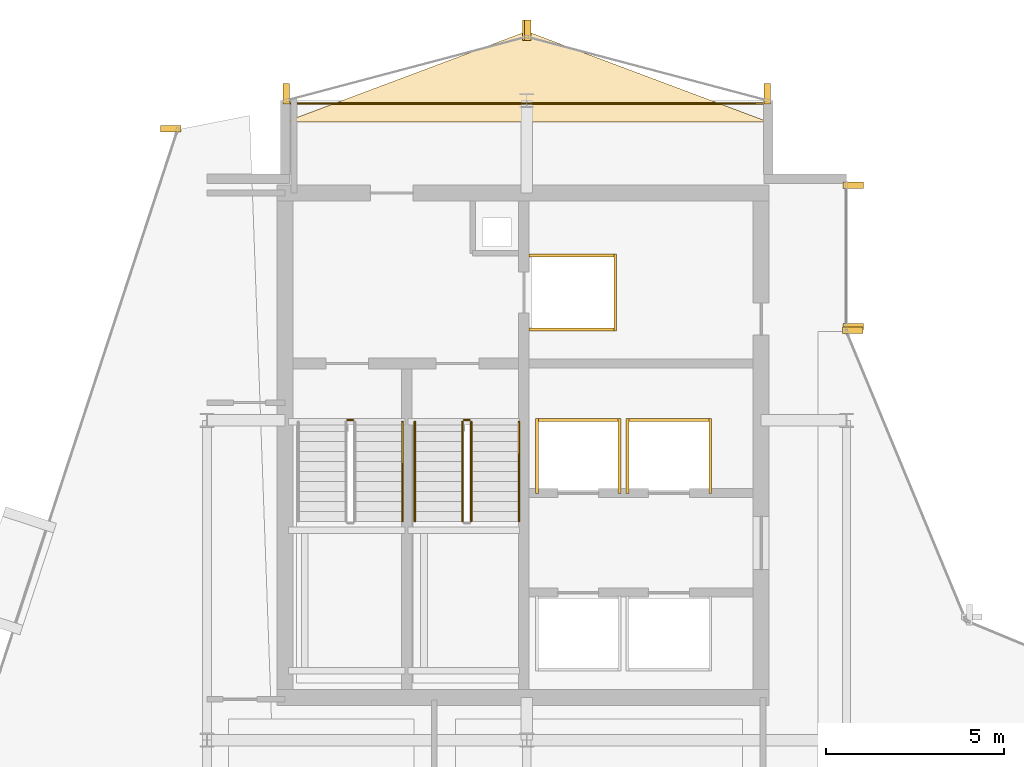
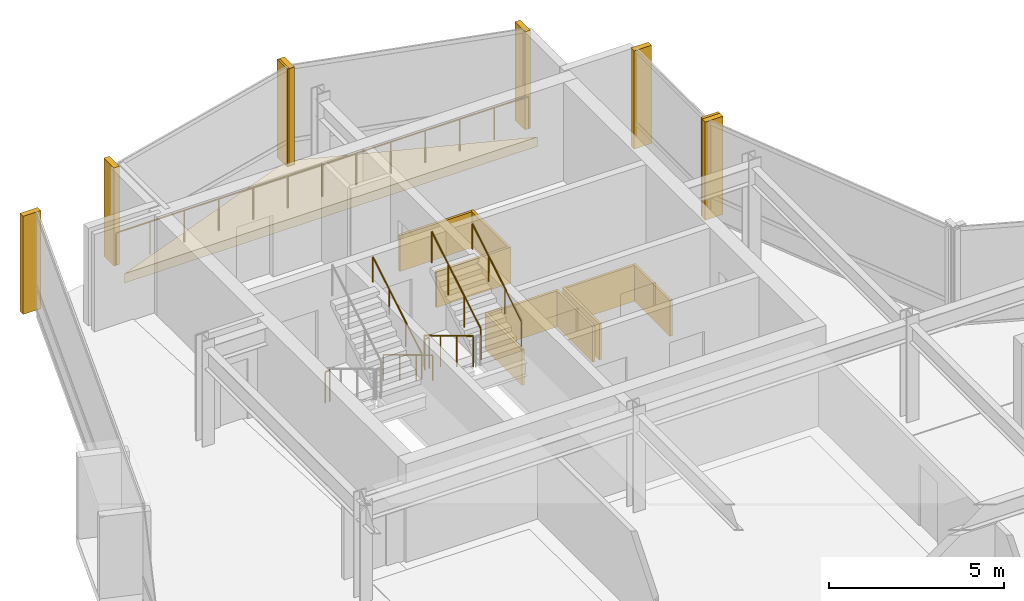
# One storey, part 27 of 27: 18 coverings, 8 railings.
"""IFC4 building model written with IfcOpenShell, lengths in metres."""

import ifcopenshell
import ifcopenshell.guid

model = None  # the IFC model being written
_history = None  # IfcOwnerHistory: only IFC2X3 demands one
_inside = {}  # id of a spatial element -> (the spatial element, [elements in it])
_under = {}  # id of a project, library or spatial element -> (it, [spatial elements below it])
_declared = {}  # id of a project -> (the project, [libraries it declares])
_typed = {}  # id of a type object -> (the type object, [elements of that type])
_made_of = {}  # id of a material, layer set ... -> (it, [elements and type objects made of it])


def new_model(schema):
    """Start an empty IFC model of exactly this schema.

    Asked for "IFC4X3", IfcOpenShell would pick the latest addendum, in which some entities
    have other attributes; the version numbers below select the first issue.
    IFC2X3 requires an IfcOwnerHistory on every rooted entity: one is made here for all.
    """
    global model, _history
    if schema == "IFC4X3":
        model = ifcopenshell.file(schema_version=(4, 3, 0, 0))
    else:
        model = ifcopenshell.file(schema=schema)
    _inside.clear()
    _under.clear()
    _declared.clear()
    _typed.clear()
    _made_of.clear()
    _history = None
    if model.schema == "IFC2X3":
        org = make("IfcOrganization", Name="unknown")
        user = make(
            "IfcPersonAndOrganization",
            ThePerson=make("IfcPerson", FamilyName="unknown"),
            TheOrganization=org,
        )
        app = make(
            "IfcApplication",
            ApplicationDeveloper=org,
            Version="unknown",
            ApplicationFullName="unknown",
            ApplicationIdentifier="unknown",
        )
        _history = make(
            "IfcOwnerHistory",
            OwningUser=user,
            OwningApplication=app,
            ChangeAction="ADDED",
            CreationDate=0,
        )
    return model


def make(cls, **values):
    """One entity of the class cls with the attributes given. An attribute that is None is left unset."""
    return model.create_entity(
        cls, **{name: value for name, value in values.items() if value is not None}
    )


def rooted(cls, **values):
    """An entity with a GlobalId (a new one), such as an element, a storey or a relation."""
    return make(cls, GlobalId=ifcopenshell.guid.new(), OwnerHistory=_history, **values)


def si_unit(unit_type, name, prefix=None):
    """IfcSIUnit, for example si_unit("LENGTHUNIT", "METRE", prefix="MILLI")."""
    return make("IfcSIUnit", UnitType=unit_type, Prefix=prefix, Name=name)


def assignment(units):
    """IfcUnitAssignment: the units of a project."""
    return None if units is None else make("IfcUnitAssignment", Units=units)


def point(xyz):
    """IfcCartesianPoint."""
    return None if xyz is None else make("IfcCartesianPoint", Coordinates=xyz)


def direction(xyz):
    """IfcDirection."""
    return None if xyz is None else make("IfcDirection", DirectionRatios=xyz)


def frame(location, z_axis=None, x_axis=None):
    """IfcAxis2Placement3D, a coordinate frame: its origin and axes. An axis left out is left unset."""
    return make(
        "IfcAxis2Placement3D",
        Location=point(location),
        Axis=direction(z_axis),
        RefDirection=direction(x_axis),
    )


def frame_2d(location, x_axis=None):
    """IfcAxis2Placement2D, a coordinate frame in the plane: its origin and x axis."""
    return make(
        "IfcAxis2Placement2D", Location=point(location), RefDirection=direction(x_axis)
    )


def origin():
    """The frame at (0, 0, 0) with its axes left unset."""
    return frame((0.0, 0.0, 0.0))


def origin_2d():
    """The frame at (0, 0) in the plane with its x axis left unset."""
    return frame_2d((0.0, 0.0))


def place(relative_to, where):
    """IfcLocalPlacement: puts the frame where relative to a parent placement (None: the world)."""
    return make(
        "IfcLocalPlacement", PlacementRelTo=relative_to, RelativePlacement=where
    )


def context(
    kind, dimensions, precision=None, world=None, true_north=None, identifier=None
):
    """IfcGeometricRepresentationContext, for example the 3D "Model" context."""
    return make(
        "IfcGeometricRepresentationContext",
        ContextIdentifier=identifier,
        ContextType=kind,
        CoordinateSpaceDimension=dimensions,
        Precision=precision,
        WorldCoordinateSystem=world,
        TrueNorth=true_north,
    )


def subcontext(parent, identifier, kind, view, scale=None):
    """IfcGeometricRepresentationSubContext, for example "Body" below "Model"."""
    return make(
        "IfcGeometricRepresentationSubContext",
        ContextIdentifier=identifier,
        ContextType=kind,
        ParentContext=parent,
        TargetScale=scale,
        TargetView=view,
    )


def project(units=None, contexts=None):
    """IfcProject with its units and contexts."""
    return rooted(
        "IfcProject",
        Name="project",
        RepresentationContexts=contexts,
        UnitsInContext=assignment(units),
    )


def spatial(cls, under=None, at=None, **own):
    """A site, building, storey or space (cls), placed at a placement, below another one or the project."""
    s = rooted(cls, ObjectPlacement=at, **own)
    if under is not None:
        _under.setdefault(under.id(), (under, []))[1].append(s)
    return s


def polyline(points):
    """IfcPolyline through the points."""
    return make("IfcPolyline", Points=[point(p) for p in points])


def profile(cls, at=None, kind="AREA", **sizes):
    """A parametric profile (cls). Its sizes go by their IFC names, for example OverallWidth=200.0."""
    return make(cls, ProfileType=kind, Position=at, **sizes)


def rectangle(**sizes):
    """IfcRectangleProfileDef."""
    return profile("IfcRectangleProfileDef", **sizes)


def circle(**sizes):
    """IfcCircleProfileDef."""
    return profile("IfcCircleProfileDef", **sizes)


def outline(outer, holes=None, kind="AREA"):
    """IfcArbitraryClosedProfileDef: a profile drawn as a closed curve; with holes, ...WithVoids."""
    if holes is None:
        return make("IfcArbitraryClosedProfileDef", ProfileType=kind, OuterCurve=outer)
    return make(
        "IfcArbitraryProfileDefWithVoids",
        ProfileType=kind,
        OuterCurve=outer,
        InnerCurves=holes,
    )


def extrude(swept, where, along, depth):
    """IfcExtrudedAreaSolid: the profile swept, set in the frame where, extruded along a direction by depth."""
    return make(
        "IfcExtrudedAreaSolid",
        SweptArea=swept,
        Position=where,
        ExtrudedDirection=direction(along),
        Depth=depth,
    )


def shape(context_of_items, identifier, shape_type, items):
    """IfcShapeRepresentation: the items that make up one representation, for example the "Body"."""
    return make(
        "IfcShapeRepresentation",
        ContextOfItems=context_of_items,
        RepresentationIdentifier=identifier,
        RepresentationType=shape_type,
        Items=items,
    )


def material(Name=None, Category=None):
    """IfcMaterial."""
    return make("IfcMaterial", Name=Name, Category=Category)


def layer(
    of_material, thickness, ventilated=None, Name=None, Category=None, Priority=None
):
    """IfcMaterialLayer: one layer of a wall or slab, of a material (None: an air gap)."""
    return make(
        "IfcMaterialLayer",
        Material=of_material,
        LayerThickness=thickness,
        IsVentilated=ventilated,
        Name=Name,
        Category=Category,
        Priority=Priority,
    )


def layer_set(layers, Name=None):
    """IfcMaterialLayerSet."""
    return make("IfcMaterialLayerSet", MaterialLayers=layers, LayerSetName=Name)


def made_of(thing, what):
    """Note that an element or type object is made of a material, layer set ...; save() writes the relation."""
    if what is not None:
        _made_of.setdefault(what.id(), (what, []))[1].append(thing)
    return thing


def type_object(cls, material=None, **own):
    """A type object (cls), such as IfcWallType, which elements share."""
    return made_of(rooted(cls, **own), material)


def element(
    cls,
    number,
    at=None,
    inside=None,
    cuts=None,
    type_object=None,
    material=None,
    context=None,
    identifier="Body",
    shape_type=None,
    held_by="IfcProductDefinitionShape",
    body=None,
    shapes=None,
    **own,
):
    """One element of the class cls, such as IfcWall. Its Tag is "e" and its number.

    at: its placement. inside: the storey or other place that contains it. cuts: it is an
    opening in that element (IfcRelVoidsElement). A single representation is given by context,
    identifier, shape_type and body (its items); several are given by shapes. held_by: the class
    of the entity that holds the representations. save() writes the other relations.
    """
    e = rooted(cls, Tag="e%d" % number, ObjectPlacement=at, **own)
    if body is not None:
        shapes = [shape(context, identifier, shape_type, body)]
    if shapes is not None:
        e.Representation = make(held_by, Representations=shapes)
    if inside is not None:
        _inside.setdefault(inside.id(), (inside, []))[1].append(e)
    if cuts is not None:
        rooted(
            "IfcRelVoidsElement", RelatingBuildingElement=cuts, RelatedOpeningElement=e
        )
    if type_object is not None:
        _typed.setdefault(type_object.id(), (type_object, []))[1].append(e)
    return made_of(e, material)


def aggregate(whole, parts):
    """IfcRelAggregates: a whole, such as a stair, and the parts it consists of."""
    return rooted("IfcRelAggregates", RelatingObject=whole, RelatedObjects=parts)


def save(model, path):
    """Write the relations noted so far, then the file.

    IfcRelAggregates (storeys below a building ...), IfcRelContainedInSpatialStructure (elements
    in a storey), IfcRelDefinesByType, IfcRelAssociatesMaterial and IfcRelDeclares: one each for
    every whole, place, type object, material and project.
    """
    for whole, parts in _under.values():
        aggregate(whole, parts)
    for where, things in _inside.values():
        rooted(
            "IfcRelContainedInSpatialStructure",
            RelatedElements=things,
            RelatingStructure=where,
        )
    for kind, things in _typed.values():
        rooted("IfcRelDefinesByType", RelatedObjects=things, RelatingType=kind)
    for what, things in _made_of.values():
        rooted("IfcRelAssociatesMaterial", RelatedObjects=things, RelatingMaterial=what)
    for by, libraries in _declared.values():
        rooted("IfcRelDeclares", RelatingContext=by, RelatedDefinitions=libraries)
    model.write(path)


model = new_model("IFC4")

# Units and contexts
model_context = context("Model", 3, precision=1e-05, world=origin(), true_north=direction((0.0, 1.0)))
body_context = subcontext(model_context, "Body", "Model", "MODEL_VIEW")
ifc_project = project(units=[si_unit("LENGTHUNIT", "METRE"), si_unit("AREAUNIT", "SQUARE_METRE"), si_unit("VOLUMEUNIT", "CUBIC_METRE"), si_unit("PLANEANGLEUNIT", "RADIAN"), si_unit("MASSUNIT", "GRAM", prefix="KILO")], contexts=[model_context])

# Site, building, storey
site_placement = place(None, origin())
site = spatial("IfcSite", under=ifc_project, at=site_placement, CompositionType="ELEMENT")
building_placement = place(site_placement, origin())
building = spatial("IfcBuilding", under=site, at=building_placement, Name="Solvaryn Broadcast Tower", CompositionType="ELEMENT")
storey_placement = place(building_placement, frame((0.0, 0.0, 228.39990234375)))
storey = spatial("IfcBuildingStorey", under=building, at=storey_placement, Name="L57", CompositionType="ELEMENT", Elevation=228.39990234375)

# Coverings
ifc_material_1 = material(Name="Fire-Rated Gypsum Shaftwall Liner", Category="concrete")
ifc_layer_1 = layer(ifc_material_1, 0.080078125)
ifc_layer_set_1 = layer_set([ifc_layer_1], Name="CV-SHAFT-LINER")
covering_type_1 = type_object("IfcCoveringType", Name="CV-SHAFT-LINER", PredefinedType="CLADDING", material=ifc_layer_set_1)
for number, where, z_axis, x_axis, name in (
    (1, (19.300048828125, 40.639892578125, 0.0), (0.0, 0.0, 1.0), (1.0, 0.0, 0.0), "L57 FL1 Hoistway Shaft Liner North"),
    (2, (19.300048828125, 38.56005859375, 0.0), (0.0, 0.0, 1.0), (1.0, 0.0, 0.0), "L57 FL1 Hoistway Shaft Liner South"),
):
    element("IfcCovering", number, at=place(storey_placement, frame(where, z_axis=z_axis, x_axis=x_axis)), inside=storey, type_object=covering_type_1, Name=name, PredefinedType="CLADDING", context=body_context, shape_type="SweptSolid", body=[
        extrude(rectangle(XDim=2.4599609375, YDim=0.080078125, at=origin_2d()), origin(), (0.0, 0.0, 1.0), 1.25),
    ])
covering_1_placement = place(storey_placement, frame((20.489990234375, 39.60009765625, 0.0), z_axis=(0.0, 0.0, 1.0), x_axis=(1.0, 0.0, 0.0)))
element("IfcCovering", 3, at=covering_1_placement, inside=storey, type_object=covering_type_1, Name="L57 FL1 Hoistway Shaft Liner East", PredefinedType="CLADDING", context=body_context, shape_type="SweptSolid", body=[
    extrude(rectangle(XDim=0.080078125, YDim=2.159912109375, at=origin_2d()), origin(), (0.0, 0.0, 1.0), 1.25),
])
covering_2_placement = place(storey_placement, frame((19.449951171875, 36.014892578125, 0.0), z_axis=(0.0, 0.0, 1.0), x_axis=(1.0, 0.0, 0.0)))
element("IfcCovering", 4, at=covering_2_placement, inside=storey, type_object=covering_type_1, Name="L57 PH3 Hoistway Shaft Liner North", PredefinedType="CLADDING", context=body_context, shape_type="SweptSolid", body=[
    extrude(rectangle(XDim=2.409912109375, YDim=0.080078125, at=origin_2d()), origin(), (0.0, 0.0, 1.0), 1.25),
])
for number, where, z_axis, x_axis, name in (
    (5, (20.614990234375, 35.0, 0.0), (0.0, 0.0, 1.0), (1.0, 0.0, 0.0), "L57 PH3 Hoistway Shaft Liner East"),
    (6, (18.284912109375, 35.0, 0.0), (0.0, 0.0, 1.0), (1.0, 0.0, 0.0), "L57 PH3 Hoistway Shaft Liner West"),
):
    element("IfcCovering", number, at=place(storey_placement, frame(where, z_axis=z_axis, x_axis=x_axis)), inside=storey, type_object=covering_type_1, Name=name, PredefinedType="CLADDING", context=body_context, shape_type="SweptSolid", body=[
        extrude(rectangle(XDim=0.080078125, YDim=2.110107421875, at=origin_2d()), origin(), (0.0, 0.0, 1.0), 1.25),
    ])
covering_3_placement = place(storey_placement, frame((22.0, 36.014892578125, 0.0), z_axis=(0.0, 0.0, 1.0), x_axis=(1.0, 0.0, 0.0)))
element("IfcCovering", 7, at=covering_3_placement, inside=storey, type_object=covering_type_1, Name="L57 PH4 Hoistway Shaft Liner North", PredefinedType="CLADDING", context=body_context, shape_type="SweptSolid", body=[
    extrude(rectangle(XDim=2.409912109375, YDim=0.080078125, at=origin_2d()), origin(), (0.0, 0.0, 1.0), 1.25),
])
for number, where, z_axis, x_axis, name in (
    (8, (23.1650390625, 35.0, 0.0), (0.0, 0.0, 1.0), (1.0, 0.0, 0.0), "L57 PH4 Hoistway Shaft Liner East"),
    (9, (20.8349609375, 35.0, 0.0), (0.0, 0.0, 1.0), (1.0, 0.0, 0.0), "L57 PH4 Hoistway Shaft Liner West"),
):
    element("IfcCovering", number, at=place(storey_placement, frame(where, z_axis=z_axis, x_axis=x_axis)), inside=storey, type_object=covering_type_1, Name=name, PredefinedType="CLADDING", context=body_context, shape_type="SweptSolid", body=[
        extrude(rectangle(XDim=0.080078125, YDim=2.110107421875, at=origin_2d()), origin(), (0.0, 0.0, 1.0), 1.25),
    ])
ifc_material_2 = material(Name="Extruded Architectural Terracotta Fin", Category="masonry")
ifc_layer_2 = layer(ifc_material_2, 0.179931640625)
ifc_layer_set_2 = layer_set([ifc_layer_2], Name="CV-TC-FIN")
covering_type_2 = type_object("IfcCoveringType", Name="CV-TC-FIN", PredefinedType="USERDEFINED", material=ifc_layer_set_2)
for number, where, z_axis, x_axis, name in (
    (10, (7.982666015625, 44.209716796875, 0.000244140625), (0.0, 0.0, 1.0), (1.0, 0.0, 0.0), "L57 Terracotta Vertical Fin FIN-L57-DR1-M00"),
    (11, (27.1875, 42.6201171875, 0.000244140625), (0.0, 0.0, 1.0), (1.0, 0.0, 0.0), "L57 Terracotta Vertical Fin FIN-L57-IV-M00"),
    (12, (27.1875, 38.6298828125, 0.000244140625), (0.0, 0.0, 1.0), (1.0, 0.0, 0.0), "L57 Terracotta Vertical Fin FIN-L57-IV-M01"),
    (13, (27.177978515625, 38.541259765625, 0.000244140625), (0.0, 0.0, 1.0), (1.0, 0.0, 0.0), "L57 Terracotta Vertical Fin FIN-L57-CN2-M01"),
):
    element("IfcCovering", number, at=place(storey_placement, frame(where, z_axis=z_axis, x_axis=x_axis)), inside=storey, type_object=covering_type_2, Name=name, ObjectType="FIN", PredefinedType="USERDEFINED", context=body_context, shape_type="SweptSolid", body=[
        extrude(rectangle(XDim=0.580078125, YDim=0.179931640625, at=origin_2d()), origin(), (0.0, 0.0, 1.0), 3.419921875),
    ])
for number, where, z_axis, x_axis, name in (
    (14, (24.77099609375, 45.1953125, 0.000244140625), (0.0, 0.0, 1.0), (1.0, 0.0, 0.0), "L57 Terracotta Vertical Fin FIN-L57-NT1-M00"),
    (15, (18.029052734375, 46.979736328125, 0.000244140625), (0.0, 0.0, 1.0), (1.0, 0.0, 0.0), "L57 Terracotta Vertical Fin FIN-L57-NT1-M01"),
    (16, (17.970947265625, 46.979736328125, 0.000244140625), (0.0, 0.0, 1.0), (1.0, 0.0, 0.0), "L57 Terracotta Vertical Fin FIN-L57-NT2-M00"),
    (17, (11.22900390625, 45.1953125, 0.000244140625), (0.0, 0.0, 1.0), (1.0, 0.0, 0.0), "L57 Terracotta Vertical Fin FIN-L57-NT2-M01"),
):
    element("IfcCovering", number, at=place(storey_placement, frame(where, z_axis=z_axis, x_axis=x_axis)), inside=storey, type_object=covering_type_2, Name=name, ObjectType="FIN", PredefinedType="USERDEFINED", context=body_context, shape_type="SweptSolid", body=[
        extrude(rectangle(XDim=0.179931640625, YDim=0.580078125, at=origin_2d()), origin(), (0.0, 0.0, 1.0), 3.419921875),
    ])
ifc_material_3 = material(Name="Sculpted Architectural Terracotta Wave Fascia", Category="masonry")
ifc_layer_3 = layer(ifc_material_3, 0.340087890625)
ifc_layer_set_3 = layer_set([ifc_layer_3], Name="CV-WAVE-TRAY")
covering_type_3 = type_object("IfcCoveringType", Name="CV-WAVE-TRAY", PredefinedType="CLADDING", material=ifc_layer_set_3)
covering_4_placement = place(storey_placement, frame((0.0, 0.0, -0.2998046875)))
element("IfcCovering", 18, at=covering_4_placement, inside=storey, type_object=covering_type_3, Name="L57 North Curved Wing Deck", PredefinedType="CLADDING", context=body_context, shape_type="SweptSolid", body=[
    extrude(outline(polyline([(11.199951171875, 44.39990234375), (24.800048828125, 44.39990234375), (18.0, 46.949951171875), (11.199951171875, 44.39990234375)])), origin(), (0.0, 0.0, 1.0), 0.329833984375),
])

# Railings
ifc_material_4 = material(Name="Painted Steel Stair Well Guard", Category="steel")
railing_type_1 = type_object("IfcRailingType", Name="RL-STAIR-GUARD", PredefinedType="BALUSTRADE", material=ifc_material_4)
railing_1_placement = place(storey_placement, frame((12.9599609375, 36.010009765625, 0.0)))
element("IfcRailing", 19, at=railing_1_placement, inside=storey, type_object=railing_type_1, Name="L57 ST1 stair guard 4", PredefinedType="BALUSTRADE", context=body_context, shape_type="SweptSolid", body=[
    extrude(circle(Radius=0.02392578125, at=origin_2d()), frame((0.0, 0.0, 1.076171875), z_axis=(1.0, 0.0, 0.0), x_axis=(0.0, 1.0, 0.0)), (0.0, 0.0, 1.0), 0.150146484375),
    extrude(circle(Radius=0.02099609375, at=origin_2d()), origin(), (0.0, 0.0, 1.0), 1.052001953125),
    extrude(circle(Radius=0.02099609375, at=origin_2d()), frame((0.150146484375, 0.0, 0.0)), (0.0, 0.0, 1.0), 1.052001953125),
])
railing_2_placement = place(storey_placement, frame((16.18994140625, 35.9599609375, 0.168212890625)))
element("IfcRailing", 20, at=railing_2_placement, inside=storey, type_object=railing_type_1, Name="L57 ST2 stair guard 1", PredefinedType="BALUSTRADE", context=body_context, shape_type="SweptSolid", body=[
    extrude(circle(Radius=0.02392578125, at=origin_2d()), frame((0.0, 0.0, 1.076171875), z_axis=(0.0, -0.857242210791, 0.514913383045), x_axis=(1.0, 0.0, 0.0)), (0.0, 0.0, 1.0), 3.266357421875),
    extrude(circle(Radius=0.02099609375, at=origin_2d()), origin(), (0.0, 0.0, 1.0), 1.052001953125),
    extrude(circle(Radius=0.02099609375, at=origin_2d()), frame((0.0, -0.933349609375, 0.560546875)), (0.0, 0.0, 1.0), 1.052001953125),
    extrude(circle(Radius=0.02099609375, at=origin_2d()), frame((0.0, -1.86669921875, 1.121337890625)), (0.0, 0.0, 1.0), 1.052001953125),
    extrude(circle(Radius=0.02099609375, at=origin_2d()), frame((0.0, -2.800048828125, 1.681884765625)), (0.0, 0.0, 1.0), 1.052001953125),
])
railing_3_placement = place(storey_placement, frame((16.43994140625, 33.159912109375, 2.018310546875)))
element("IfcRailing", 21, at=railing_3_placement, inside=storey, type_object=railing_type_1, Name="L57 ST2 stair guard 3", PredefinedType="BALUSTRADE", context=body_context, shape_type="SweptSolid", body=[
    extrude(circle(Radius=0.02392578125, at=origin_2d()), frame((0.0, 0.0, 1.076171875), z_axis=(0.0, 0.857242210791, 0.514913383045), x_axis=(-1.0, 0.0, 0.0)), (0.0, 0.0, 1.0), 3.266357421875),
    extrude(circle(Radius=0.02099609375, at=origin_2d()), origin(), (0.0, 0.0, 1.0), 1.052001953125),
    extrude(circle(Radius=0.02099609375, at=origin_2d()), frame((0.0, 0.933349609375, 0.560546875)), (0.0, 0.0, 1.0), 1.052001953125),
    extrude(circle(Radius=0.02099609375, at=origin_2d()), frame((0.0, 1.86669921875, 1.121337890625)), (0.0, 0.0, 1.0), 1.052001953125),
    extrude(circle(Radius=0.02099609375, at=origin_2d()), frame((0.0, 2.800048828125, 1.681884765625)), (0.0, 0.0, 1.0), 1.052001953125),
])
railing_4_placement = place(storey_placement, frame((16.239990234375, 36.010009765625, 0.0)))
element("IfcRailing", 22, at=railing_4_placement, inside=storey, type_object=railing_type_1, Name="L57 ST2 stair guard 4", PredefinedType="BALUSTRADE", context=body_context, shape_type="SweptSolid", body=[
    extrude(circle(Radius=0.02392578125, at=origin_2d()), frame((0.0, 0.0, 1.076171875), z_axis=(1.0, 0.0, 0.0), x_axis=(0.0, 1.0, 0.0)), (0.0, 0.0, 1.0), 0.14990234375),
    extrude(circle(Radius=0.02099609375, at=origin_2d()), origin(), (0.0, 0.0, 1.0), 1.052001953125),
    extrude(circle(Radius=0.02099609375, at=origin_2d()), frame((0.14990234375, 0.0, 0.0)), (0.0, 0.0, 1.0), 1.052001953125),
])
ifc_material_5 = material(Name="Brushed Stainless Steel Tubular Handrail", Category="steel")
railing_type_2 = type_object("IfcRailingType", Name="RL-STAIR-HANDRAIL", PredefinedType="HANDRAIL", material=ifc_material_5)
railing_5_placement = place(storey_placement, frame((14.5, 33.159912109375, 2.018310546875)))
element("IfcRailing", 23, at=railing_5_placement, inside=storey, type_object=railing_type_2, Name="L57 ST1 stair handrail 2", PredefinedType="HANDRAIL", context=body_context, shape_type="SweptSolid", body=[
    extrude(circle(Radius=0.02392578125, at=origin_2d()), frame((0.0, 0.0, 0.8759765625), z_axis=(0.0, 0.857242210791, 0.514913383045), x_axis=(-1.0, 0.0, 0.0)), (0.0, 0.0, 1.0), 3.266357421875),
    extrude(circle(Radius=0.02099609375, at=origin_2d()), origin(), (0.0, 0.0, 1.0), 0.851806640625),
    extrude(circle(Radius=0.02099609375, at=origin_2d()), frame((0.0, 0.933349609375, 0.560546875)), (0.0, 0.0, 1.0), 0.851806640625),
    extrude(circle(Radius=0.02099609375, at=origin_2d()), frame((0.0, 1.86669921875, 1.121337890625)), (0.0, 0.0, 1.0), 0.851806640625),
    extrude(circle(Radius=0.02099609375, at=origin_2d()), frame((0.0, 2.800048828125, 1.681884765625)), (0.0, 0.0, 1.0), 0.851806640625),
])
railing_6_placement = place(storey_placement, frame((14.85009765625, 35.9599609375, 0.168212890625)))
element("IfcRailing", 24, at=railing_6_placement, inside=storey, type_object=railing_type_2, Name="L57 ST2 stair handrail 1", PredefinedType="HANDRAIL", context=body_context, shape_type="SweptSolid", body=[
    extrude(circle(Radius=0.02392578125, at=origin_2d()), frame((0.0, 0.0, 0.8759765625), z_axis=(0.0, -0.857242210791, 0.514913383045), x_axis=(1.0, 0.0, 0.0)), (0.0, 0.0, 1.0), 3.266357421875),
    extrude(circle(Radius=0.02099609375, at=origin_2d()), origin(), (0.0, 0.0, 1.0), 0.851806640625),
    extrude(circle(Radius=0.02099609375, at=origin_2d()), frame((0.0, -0.933349609375, 0.560546875)), (0.0, 0.0, 1.0), 0.851806640625),
    extrude(circle(Radius=0.02099609375, at=origin_2d()), frame((0.0, -1.86669921875, 1.121337890625)), (0.0, 0.0, 1.0), 0.851806640625),
    extrude(circle(Radius=0.02099609375, at=origin_2d()), frame((0.0, -2.800048828125, 1.681884765625)), (0.0, 0.0, 1.0), 0.851806640625),
])
railing_7_placement = place(storey_placement, frame((17.780029296875, 33.159912109375, 2.018310546875)))
element("IfcRailing", 25, at=railing_7_placement, inside=storey, type_object=railing_type_2, Name="L57 ST2 stair handrail 2", PredefinedType="HANDRAIL", context=body_context, shape_type="SweptSolid", body=[
    extrude(circle(Radius=0.02392578125, at=origin_2d()), frame((0.0, 0.0, 0.8759765625), z_axis=(0.0, 0.857242210791, 0.514913383045), x_axis=(-1.0, 0.0, 0.0)), (0.0, 0.0, 1.0), 3.266357421875),
    extrude(circle(Radius=0.02099609375, at=origin_2d()), origin(), (0.0, 0.0, 1.0), 0.851806640625),
    extrude(circle(Radius=0.02099609375, at=origin_2d()), frame((0.0, 0.933349609375, 0.560546875)), (0.0, 0.0, 1.0), 0.851806640625),
    extrude(circle(Radius=0.02099609375, at=origin_2d()), frame((0.0, 1.86669921875, 1.121337890625)), (0.0, 0.0, 1.0), 0.851806640625),
    extrude(circle(Radius=0.02099609375, at=origin_2d()), frame((0.0, 2.800048828125, 1.681884765625)), (0.0, 0.0, 1.0), 0.851806640625),
])
ifc_material_6 = material(Name="Stainless Steel and Laminated Glass Guard", Category="steel")
railing_type_3 = type_object("IfcRailingType", Name="RL-TER-1150", PredefinedType="BALUSTRADE", material=ifc_material_6)
railing_8_placement = place(storey_placement, frame((11.199951171875, 44.919921875, 0.0)))
element("IfcRailing", 26, at=railing_8_placement, inside=storey, type_object=railing_type_3, Name="L57 North Wing Spandrel Edge Guard", PredefinedType="BALUSTRADE", context=body_context, shape_type="SweptSolid", body=[
    extrude(circle(Radius=0.02392578125, at=origin_2d()), frame((0.0, 0.0, 1.1259765625), z_axis=(1.0, 0.0, 0.0), x_axis=(0.0, 1.0, 0.0)), (0.0, 0.0, 1.0), 13.60009765625),
    extrude(circle(Radius=0.02099609375, at=origin_2d()), origin(), (0.0, 0.0, 1.0), 1.101806640625),
    extrude(circle(Radius=0.02099609375, at=origin_2d()), frame((1.13330078125, 0.0, 0.0)), (0.0, 0.0, 1.0), 1.101806640625),
    extrude(circle(Radius=0.02099609375, at=origin_2d()), frame((2.2666015625, 0.0, 0.0)), (0.0, 0.0, 1.0), 1.101806640625),
    extrude(circle(Radius=0.02099609375, at=origin_2d()), frame((3.39990234375, 0.0, 0.0)), (0.0, 0.0, 1.0), 1.101806640625),
    extrude(circle(Radius=0.02099609375, at=origin_2d()), frame((4.533447265625, 0.0, 0.0)), (0.0, 0.0, 1.0), 1.101806640625),
    extrude(circle(Radius=0.02099609375, at=origin_2d()), frame((5.666748046875, 0.0, 0.0)), (0.0, 0.0, 1.0), 1.101806640625),
    extrude(circle(Radius=0.02099609375, at=origin_2d()), frame((6.800048828125, 0.0, 0.0)), (0.0, 0.0, 1.0), 1.101806640625),
    extrude(circle(Radius=0.02099609375, at=origin_2d()), frame((7.933349609375, 0.0, 0.0)), (0.0, 0.0, 1.0), 1.101806640625),
    extrude(circle(Radius=0.02099609375, at=origin_2d()), frame((9.066650390625, 0.0, 0.0)), (0.0, 0.0, 1.0), 1.101806640625),
    extrude(circle(Radius=0.02099609375, at=origin_2d()), frame((10.2001953125, 0.0, 0.0)), (0.0, 0.0, 1.0), 1.101806640625),
    extrude(circle(Radius=0.02099609375, at=origin_2d()), frame((11.33349609375, 0.0, 0.0)), (0.0, 0.0, 1.0), 1.101806640625),
    extrude(circle(Radius=0.02099609375, at=origin_2d()), frame((12.466796875, 0.0, 0.0)), (0.0, 0.0, 1.0), 1.101806640625),
    extrude(circle(Radius=0.02099609375, at=origin_2d()), frame((13.60009765625, 0.0, 0.0)), (0.0, 0.0, 1.0), 1.101806640625),
])

save(model, "model.ifc")
